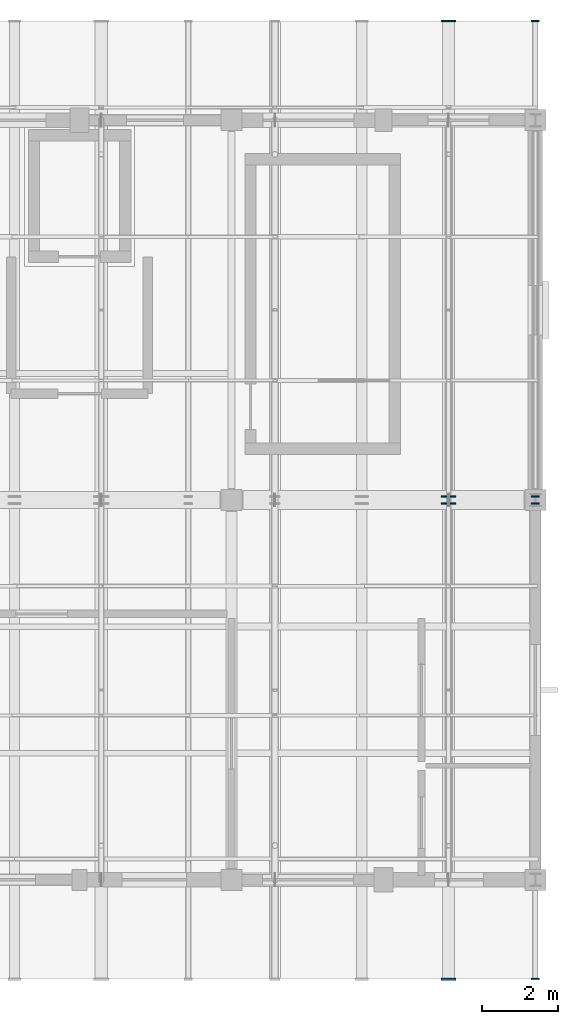
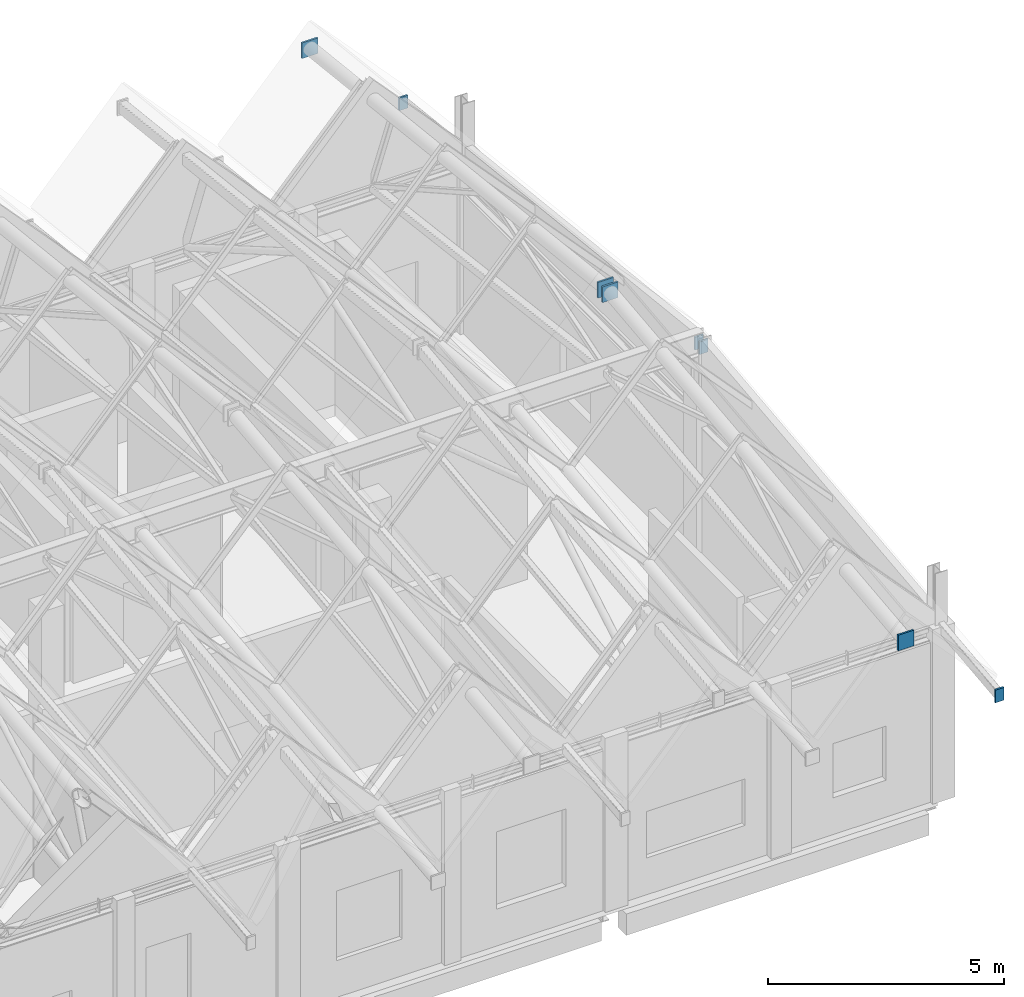
# One storey, part 14 of 15: 8 discrete accessories.
"""IFC4 building model written with IfcOpenShell, lengths in metres."""

from ifc_helpers import new_model, si_unit, direction, frame, origin, origin_2d, place, context, subcontext, project, spatial, rectangle, extrude, material, type_object, element, save


model = new_model("IFC4")

# Units and contexts
model_context = context("Model", 3, precision=1e-05, world=origin(), true_north=direction((0.0, 1.0)))
body_context = subcontext(model_context, "Body", "Model", "MODEL_VIEW")
ifc_project = project(units=[si_unit("LENGTHUNIT", "METRE"), si_unit("AREAUNIT", "SQUARE_METRE"), si_unit("VOLUMEUNIT", "CUBIC_METRE"), si_unit("PLANEANGLEUNIT", "RADIAN"), si_unit("MASSUNIT", "GRAM", prefix="KILO")], contexts=[model_context])

# Site, building, storey
site_placement = place(None, origin())
site = spatial("IfcSite", under=ifc_project, at=site_placement, CompositionType="ELEMENT")
building_placement = place(site_placement, origin())
building = spatial("IfcBuilding", under=site, at=building_placement, Name="Luwemba Playhouse", CompositionType="ELEMENT")
storey_placement = place(building_placement, frame((0.0, 0.0, 22.800048828125)))
storey = spatial("IfcBuildingStorey", under=building, at=storey_placement, Name="L05", CompositionType="ELEMENT", Elevation=22.800048828125)

# Discrete accessories
ifc_material = material(Name="Steel S355", Category="steel")
discrete_accessory_type = type_object("IfcDiscreteAccessoryType", Name="ACC-ENDCAP-S355", PredefinedType="BRACKET", material=ifc_material)
for number, where, z_axis, x_axis, name in (
    (1, (169.71435546875, 92.385009765625, 6.16552734375), (0.0, 0.0, 1.0), (1.0, 0.0, 0.0), "Welded RHS end cap plate 0549"),
    (2, (169.71435546875, 104.90478515625, 7.5703125), (0.0, 0.0, 1.0), (1.0, 0.0, 0.0), "Welded RHS end cap plate 0550"),
    (3, (169.71435546875, 105.09521484375, 7.5703125), (0.0, 0.0, 1.0), (1.0, 0.0, 0.0), "Welded RHS end cap plate 0551"),
    (4, (169.71435546875, 117.614990234375, 6.16552734375), (0.0, 0.0, 1.0), (1.0, 0.0, 0.0), "Welded RHS end cap plate 0552"),
):
    element("IfcDiscreteAccessory", number, at=place(storey_placement, frame(where, z_axis=z_axis, x_axis=x_axis)), inside=storey, type_object=discrete_accessory_type, Name=name, PredefinedType="BRACKET", context=body_context, shape_type="SweptSolid", body=[
        extrude(rectangle(XDim=0.384033203125, YDim=0.044921875, at=origin_2d()), origin(), (0.0, 0.0, 1.0), 0.404052734375),
    ])
for number, where, z_axis, x_axis, name in (
    (5, (172.0, 92.385009765625, 3.990234375), (0.0, 0.0, 1.0), (1.0, 0.0, 0.0), "Welded RHS end cap plate 0553"),
    (6, (172.0, 104.90478515625, 5.394775390625), (0.0, 0.0, 1.0), (1.0, 0.0, 0.0), "Welded RHS end cap plate 0554"),
    (7, (172.0, 105.09521484375, 5.394775390625), (0.0, 0.0, 1.0), (1.0, 0.0, 0.0), "Welded RHS end cap plate 0555"),
    (8, (172.0, 117.614990234375, 3.990234375), (0.0, 0.0, 1.0), (1.0, 0.0, 0.0), "Welded RHS end cap plate 0556"),
):
    element("IfcDiscreteAccessory", number, at=place(storey_placement, frame(where, z_axis=z_axis, x_axis=x_axis)), inside=storey, type_object=discrete_accessory_type, Name=name, PredefinedType="BRACKET", context=body_context, shape_type="SweptSolid", body=[
        extrude(rectangle(XDim=0.2099609375, YDim=0.044921875, at=origin_2d()), origin(), (0.0, 0.0, 1.0), 0.330078125),
    ])

save(model, "model.ifc")
